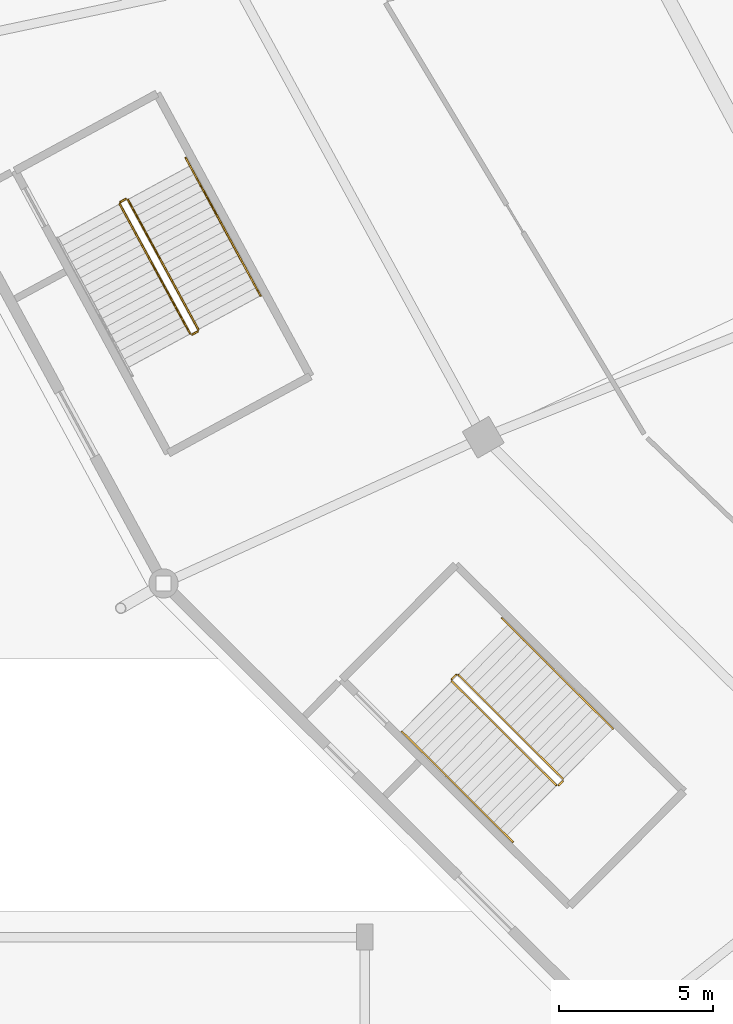
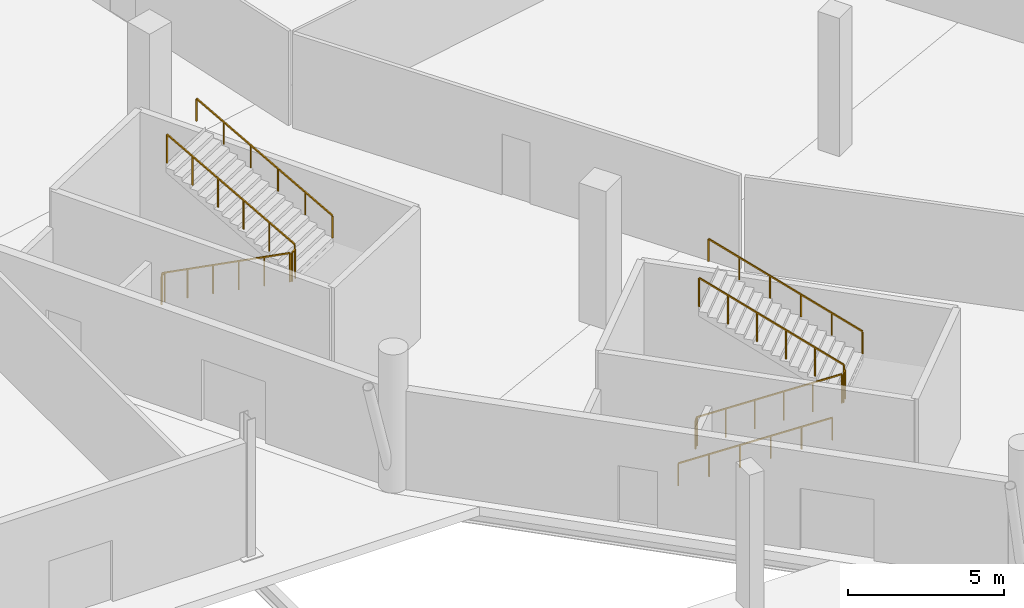
# One storey, part 60 of 82: 11 railings.
"""IFC4 building model written with IfcOpenShell, lengths in metres."""

from ifc_helpers import new_model, si_unit, direction, frame, origin, origin_2d, place, context, subcontext, project, spatial, rectangle, extrude, material, type_object, element, save


model = new_model("IFC4")

# Units and contexts
model_context = context("Model", 3, precision=1e-05, world=origin(), true_north=direction((0.0, 1.0)))
body_context = subcontext(model_context, "Body", "Model", "MODEL_VIEW")
ifc_project = project(units=[si_unit("LENGTHUNIT", "METRE"), si_unit("AREAUNIT", "SQUARE_METRE"), si_unit("VOLUMEUNIT", "CUBIC_METRE"), si_unit("PLANEANGLEUNIT", "RADIAN"), si_unit("MASSUNIT", "GRAM", prefix="KILO")], contexts=[model_context])

# Site, building, storey
site_placement = place(None, origin())
site = spatial("IfcSite", under=ifc_project, at=site_placement, CompositionType="ELEMENT")
building_placement = place(site_placement, origin())
building = spatial("IfcBuilding", under=site, at=building_placement, Name="Zlatoyarsky Gate Stadium", CompositionType="ELEMENT")
storey_placement = place(building_placement, origin())
storey = spatial("IfcBuildingStorey", under=building, at=storey_placement, Name="L00", CompositionType="ELEMENT", Elevation=0.0)

# Railings
ifc_material_1 = material(Name="Powder-coated steel stair guardrail", Category="steel")
railing_type_1 = type_object("IfcRailingType", Name="PAINTED STEEL STAIR WELL GUARDRAIL 1150", PredefinedType="GUARDRAIL", material=ifc_material_1)
railing_1_placement = place(storey_placement, frame((39.829345703125, 41.318603515625, 0.158935546875)))
element("IfcRailing", 1, at=railing_1_placement, inside=storey, type_object=railing_type_1, Name="ST-08 L00 stair guard 1", PredefinedType="GUARDRAIL", context=body_context, shape_type="SweptSolid", body=[
    extrude(rectangle(XDim=0.048095703125, YDim=0.048095703125, at=origin_2d()), frame((0.0, 0.0, 1.1259765625), z_axis=(0.626510091978, -0.62336338132, 0.467870921813), x_axis=(0.705324317314, 0.708884763136, 0.0)), (0.0, 0.0, 1.0), 5.430908203125),
    extrude(rectangle(XDim=0.0419921875, YDim=0.0419921875, at=origin_2d()), origin(), (0.0, 0.0, 1.0), 1.101806640625),
    extrude(rectangle(XDim=0.0419921875, YDim=0.0419921875, at=origin_2d()), frame((0.680419921875, -0.677001953125, 0.50830078125)), (0.0, 0.0, 1.0), 1.101806640625),
    extrude(rectangle(XDim=0.0419921875, YDim=0.0419921875, at=origin_2d()), frame((1.361083984375, -1.354248046875, 1.016357421875)), (0.0, 0.0, 1.0), 1.101806640625),
    extrude(rectangle(XDim=0.0419921875, YDim=0.0419921875, at=origin_2d()), frame((2.04150390625, -2.03125, 1.524658203125)), (0.0, 0.0, 1.0), 1.101806640625),
    extrude(rectangle(XDim=0.0419921875, YDim=0.0419921875, at=origin_2d()), frame((2.72216796875, -2.70849609375, 2.03271484375)), (0.0, 0.0, 1.0), 1.101806640625),
    extrude(rectangle(XDim=0.0419921875, YDim=0.0419921875, at=origin_2d()), frame((3.402587890625, -3.385498046875, 2.541015625)), (0.0, 0.0, 1.0), 1.101806640625),
])
railing_2_placement = place(storey_placement, frame((43.302734375, 37.933349609375, 2.699951171875)))
element("IfcRailing", 2, at=railing_2_placement, inside=storey, type_object=railing_type_1, Name="ST-08 L00 stair guard 2", PredefinedType="GUARDRAIL", context=body_context, shape_type="SweptSolid", body=[
    extrude(rectangle(XDim=0.048095703125, YDim=0.048095703125, at=origin_2d()), frame((0.0, 0.0, 1.1259765625), z_axis=(0.705274116237, 0.708934708536, 0.0), x_axis=(-0.708934708536, 0.705274116237, 0.0)), (0.0, 0.0, 1.0), 0.2001953125),
    extrude(rectangle(XDim=0.0419921875, YDim=0.0419921875, at=origin_2d()), origin(), (0.0, 0.0, 1.0), 1.101806640625),
    extrude(rectangle(XDim=0.0419921875, YDim=0.0419921875, at=origin_2d()), frame((0.14111328125, 0.141845703125, 0.0)), (0.0, 0.0, 1.0), 1.101806640625),
])
railing_3_placement = place(storey_placement, frame((43.443603515625, 38.145751953125, 2.85888671875)))
element("IfcRailing", 3, at=railing_3_placement, inside=storey, type_object=railing_type_1, Name="ST-08 L00 stair guard 3", PredefinedType="GUARDRAIL", context=body_context, shape_type="SweptSolid", body=[
    extrude(rectangle(XDim=0.048095703125, YDim=0.048095703125, at=origin_2d()), frame((0.0, 0.0, 1.1259765625), z_axis=(-0.626537399108, 0.623345825329, 0.467857745008), x_axis=(-0.705298886343, -0.708910065469, 0.0)), (0.0, 0.0, 1.0), 5.43115234375),
    extrude(rectangle(XDim=0.0419921875, YDim=0.0419921875, at=origin_2d()), origin(), (0.0, 0.0, 1.0), 1.101806640625),
    extrude(rectangle(XDim=0.0419921875, YDim=0.0419921875, at=origin_2d()), frame((-0.6806640625, 0.677001953125, 0.50830078125)), (0.0, 0.0, 1.0), 1.101806640625),
    extrude(rectangle(XDim=0.0419921875, YDim=0.0419921875, at=origin_2d()), frame((-1.361083984375, 1.354248046875, 1.016357421875)), (0.0, 0.0, 1.0), 1.101806640625),
    extrude(rectangle(XDim=0.0419921875, YDim=0.0419921875, at=origin_2d()), frame((-2.041748046875, 2.03125, 1.524658203125)), (0.0, 0.0, 1.0), 1.101806640625),
    extrude(rectangle(XDim=0.0419921875, YDim=0.0419921875, at=origin_2d()), frame((-2.72216796875, 2.70849609375, 2.03271484375)), (0.0, 0.0, 1.0), 1.101806640625),
    extrude(rectangle(XDim=0.0419921875, YDim=0.0419921875, at=origin_2d()), frame((-3.40283203125, 3.385498046875, 2.541015625)), (0.0, 0.0, 1.0), 1.101806640625),
])
railing_4_placement = place(storey_placement, frame((39.8291015625, 41.389404296875, 0.0)))
element("IfcRailing", 4, at=railing_4_placement, inside=storey, type_object=railing_type_1, Name="ST-08 L00 stair guard 4", PredefinedType="GUARDRAIL", context=body_context, shape_type="SweptSolid", body=[
    extrude(rectangle(XDim=0.048095703125, YDim=0.048095703125, at=origin_2d()), frame((0.0, 0.0, 1.1259765625), z_axis=(0.705884473151, 0.708326979978, 0.0), x_axis=(-0.708326979978, 0.705884473151, 0.0)), (0.0, 0.0, 1.0), 0.199951171875),
    extrude(rectangle(XDim=0.0419921875, YDim=0.0419921875, at=origin_2d()), origin(), (0.0, 0.0, 1.0), 1.101806640625),
    extrude(rectangle(XDim=0.0419921875, YDim=0.0419921875, at=origin_2d()), frame((0.14111328125, 0.1416015625, 0.0)), (0.0, 0.0, 1.0), 1.101806640625),
])
railing_5_placement = place(storey_placement, frame((29.03515625, 56.83349609375, 0.158935546875)))
element("IfcRailing", 5, at=railing_5_placement, inside=storey, type_object=railing_type_1, Name="ST-15 L00 stair guard 1", PredefinedType="GUARDRAIL", context=body_context, shape_type="SweptSolid", body=[
    extrude(rectangle(XDim=0.048095703125, YDim=0.048095703125, at=origin_2d()), frame((0.0, 0.0, 1.1259765625), z_axis=(0.421475720149, -0.776826143334, 0.467866819039), x_axis=(0.878962478599, 0.4768909322, 0.0)), (0.0, 0.0, 1.0), 5.43115234375),
    extrude(rectangle(XDim=0.0419921875, YDim=0.0419921875, at=origin_2d()), origin(), (0.0, 0.0, 1.0), 1.101806640625),
    extrude(rectangle(XDim=0.0419921875, YDim=0.0419921875, at=origin_2d()), frame((0.457763671875, -0.84375, 0.50830078125)), (0.0, 0.0, 1.0), 1.101806640625),
    extrude(rectangle(XDim=0.0419921875, YDim=0.0419921875, at=origin_2d()), frame((0.91552734375, -1.6875, 1.016357421875)), (0.0, 0.0, 1.0), 1.101806640625),
    extrude(rectangle(XDim=0.0419921875, YDim=0.0419921875, at=origin_2d()), frame((1.37353515625, -2.531494140625, 1.524658203125)), (0.0, 0.0, 1.0), 1.101806640625),
    extrude(rectangle(XDim=0.0419921875, YDim=0.0419921875, at=origin_2d()), frame((1.831298828125, -3.375244140625, 2.03271484375)), (0.0, 0.0, 1.0), 1.101806640625),
    extrude(rectangle(XDim=0.0419921875, YDim=0.0419921875, at=origin_2d()), frame((2.2890625, -4.218994140625, 2.541015625)), (0.0, 0.0, 1.0), 1.101806640625),
])
railing_6_placement = place(storey_placement, frame((31.39208984375, 52.59423828125, 2.699951171875)))
element("IfcRailing", 6, at=railing_6_placement, inside=storey, type_object=railing_type_1, Name="ST-15 L00 stair guard 2", PredefinedType="GUARDRAIL", context=body_context, shape_type="SweptSolid", body=[
    extrude(rectangle(XDim=0.048095703125, YDim=0.048095703125, at=origin_2d()), frame((0.0, 0.0, 1.1259765625), z_axis=(0.878780312785, 0.477226530971, 0.0), x_axis=(-0.477226530971, 0.878780312785, 0.0)), (0.0, 0.0, 1.0), 0.199951171875),
    extrude(rectangle(XDim=0.0419921875, YDim=0.0419921875, at=origin_2d()), origin(), (0.0, 0.0, 1.0), 1.101806640625),
    extrude(rectangle(XDim=0.0419921875, YDim=0.0419921875, at=origin_2d()), frame((0.17578125, 0.095458984375, 0.0)), (0.0, 0.0, 1.0), 1.101806640625),
])
railing_7_placement = place(storey_placement, frame((31.587890625, 52.757568359375, 2.85888671875)))
element("IfcRailing", 7, at=railing_7_placement, inside=storey, type_object=railing_type_1, Name="ST-15 L00 stair guard 3", PredefinedType="GUARDRAIL", context=body_context, shape_type="SweptSolid", body=[
    extrude(rectangle(XDim=0.048095703125, YDim=0.048095703125, at=origin_2d()), frame((0.0, 0.0, 1.1259765625), z_axis=(-0.421475720149, 0.776826143334, 0.467866819039), x_axis=(-0.878962478599, -0.4768909322, 0.0)), (0.0, 0.0, 1.0), 5.43115234375),
    extrude(rectangle(XDim=0.0419921875, YDim=0.0419921875, at=origin_2d()), origin(), (0.0, 0.0, 1.0), 1.101806640625),
    extrude(rectangle(XDim=0.0419921875, YDim=0.0419921875, at=origin_2d()), frame((-0.457763671875, 0.84375, 0.50830078125)), (0.0, 0.0, 1.0), 1.101806640625),
    extrude(rectangle(XDim=0.0419921875, YDim=0.0419921875, at=origin_2d()), frame((-0.91552734375, 1.6875, 1.016357421875)), (0.0, 0.0, 1.0), 1.101806640625),
    extrude(rectangle(XDim=0.0419921875, YDim=0.0419921875, at=origin_2d()), frame((-1.37353515625, 2.531494140625, 1.524658203125)), (0.0, 0.0, 1.0), 1.101806640625),
    extrude(rectangle(XDim=0.0419921875, YDim=0.0419921875, at=origin_2d()), frame((-1.831298828125, 3.375244140625, 2.03271484375)), (0.0, 0.0, 1.0), 1.101806640625),
    extrude(rectangle(XDim=0.0419921875, YDim=0.0419921875, at=origin_2d()), frame((-2.2890625, 4.218994140625, 2.541015625)), (0.0, 0.0, 1.0), 1.101806640625),
])
railing_8_placement = place(storey_placement, frame((29.05517578125, 56.901123046875, 0.0)))
element("IfcRailing", 8, at=railing_8_placement, inside=storey, type_object=railing_type_1, Name="ST-15 L00 stair guard 4", PredefinedType="GUARDRAIL", context=body_context, shape_type="SweptSolid", body=[
    extrude(rectangle(XDim=0.048095703125, YDim=0.048095703125, at=origin_2d()), frame((0.0, 0.0, 1.1259765625), z_axis=(0.878780312785, 0.477226530971, 0.0), x_axis=(-0.477226530971, 0.878780312785, 0.0)), (0.0, 0.0, 1.0), 0.199951171875),
    extrude(rectangle(XDim=0.0419921875, YDim=0.0419921875, at=origin_2d()), origin(), (0.0, 0.0, 1.0), 1.101806640625),
    extrude(rectangle(XDim=0.0419921875, YDim=0.0419921875, at=origin_2d()), frame((0.17578125, 0.095458984375, 0.0)), (0.0, 0.0, 1.0), 1.101806640625),
])
ifc_material_2 = material(Name="Brushed stainless steel 316 handrail", Category="steel")
railing_type_2 = type_object("IfcRailingType", Name="STAINLESS STEEL TUBULAR HANDRAIL 900", PredefinedType="HANDRAIL", material=ifc_material_2)
railing_9_placement = place(storey_placement, frame((38.20703125, 39.688232421875, 0.162841796875)))
element("IfcRailing", 9, at=railing_9_placement, inside=storey, type_object=railing_type_2, Name="ST-08 L00 stair handrail 1", PredefinedType="HANDRAIL", context=body_context, shape_type="SweptSolid", body=[
    extrude(rectangle(XDim=0.048095703125, YDim=0.048095703125, at=origin_2d()), frame((0.0, 0.0, 0.8759765625), z_axis=(0.626522822418, -0.62334980522, 0.467871962531), x_axis=(0.705309395881, 0.708899609312, 0.0)), (0.0, 0.0, 1.0), 5.770751953125),
    extrude(rectangle(XDim=0.0419921875, YDim=0.0419921875, at=origin_2d()), origin(), (0.0, 0.0, 1.0), 0.851806640625),
    extrude(rectangle(XDim=0.0419921875, YDim=0.0419921875, at=origin_2d()), frame((0.72314453125, -0.719482421875, 0.5400390625)), (0.0, 0.0, 1.0), 0.851806640625),
    extrude(rectangle(XDim=0.0419921875, YDim=0.0419921875, at=origin_2d()), frame((1.4462890625, -1.43896484375, 1.080078125)), (0.0, 0.0, 1.0), 0.851806640625),
    extrude(rectangle(XDim=0.0419921875, YDim=0.0419921875, at=origin_2d()), frame((2.169189453125, -2.158203125, 1.619873046875)), (0.0, 0.0, 1.0), 0.851806640625),
    extrude(rectangle(XDim=0.0419921875, YDim=0.0419921875, at=origin_2d()), frame((2.892333984375, -2.877685546875, 2.159912109375)), (0.0, 0.0, 1.0), 0.851806640625),
    extrude(rectangle(XDim=0.0419921875, YDim=0.0419921875, at=origin_2d()), frame((3.615478515625, -3.59716796875, 2.699951171875)), (0.0, 0.0, 1.0), 0.851806640625),
])
railing_10_placement = place(storey_placement, frame((45.06591796875, 39.7763671875, 2.86279296875)))
element("IfcRailing", 10, at=railing_10_placement, inside=storey, type_object=railing_type_2, Name="ST-08 L00 stair handrail 2", PredefinedType="HANDRAIL", context=body_context, shape_type="SweptSolid", body=[
    extrude(rectangle(XDim=0.048095703125, YDim=0.048095703125, at=origin_2d()), frame((0.0, 0.0, 0.8759765625), z_axis=(-0.626539345167, 0.623323936279, 0.467884301317), x_axis=(-0.705285338382, -0.708923544159, 0.0)), (0.0, 0.0, 1.0), 5.7705078125),
    extrude(rectangle(XDim=0.0419921875, YDim=0.0419921875, at=origin_2d()), origin(), (0.0, 0.0, 1.0), 0.851806640625),
    extrude(rectangle(XDim=0.0419921875, YDim=0.0419921875, at=origin_2d()), frame((-0.72314453125, 0.719482421875, 0.5400390625)), (0.0, 0.0, 1.0), 0.851806640625),
    extrude(rectangle(XDim=0.0419921875, YDim=0.0419921875, at=origin_2d()), frame((-1.4462890625, 1.438720703125, 1.080078125)), (0.0, 0.0, 1.0), 0.851806640625),
    extrude(rectangle(XDim=0.0419921875, YDim=0.0419921875, at=origin_2d()), frame((-2.169189453125, 2.158203125, 1.619873046875)), (0.0, 0.0, 1.0), 0.851806640625),
    extrude(rectangle(XDim=0.0419921875, YDim=0.0419921875, at=origin_2d()), frame((-2.892333984375, 2.87744140625, 2.159912109375)), (0.0, 0.0, 1.0), 0.851806640625),
    extrude(rectangle(XDim=0.0419921875, YDim=0.0419921875, at=origin_2d()), frame((-3.615478515625, 3.596923828125, 2.699951171875)), (0.0, 0.0, 1.0), 0.851806640625),
])
railing_11_placement = place(storey_placement, frame((33.609619140625, 53.854248046875, 2.86279296875)))
element("IfcRailing", 11, at=railing_11_placement, inside=storey, type_object=railing_type_2, Name="ST-15 L00 stair handrail 2", PredefinedType="HANDRAIL", context=body_context, shape_type="SweptSolid", body=[
    extrude(rectangle(XDim=0.048095703125, YDim=0.048095703125, at=origin_2d()), frame((0.0, 0.0, 0.8759765625), z_axis=(-0.421458562737, 0.776834182793, 0.467868926452), x_axis=(-0.878972684615, -0.476872120909, 0.0)), (0.0, 0.0, 1.0), 5.770751953125),
    extrude(rectangle(XDim=0.0419921875, YDim=0.0419921875, at=origin_2d()), origin(), (0.0, 0.0, 1.0), 0.851806640625),
    extrude(rectangle(XDim=0.0419921875, YDim=0.0419921875, at=origin_2d()), frame((-0.486328125, 0.896484375, 0.5400390625)), (0.0, 0.0, 1.0), 0.851806640625),
    extrude(rectangle(XDim=0.0419921875, YDim=0.0419921875, at=origin_2d()), frame((-0.972900390625, 1.793212890625, 1.080078125)), (0.0, 0.0, 1.0), 0.851806640625),
    extrude(rectangle(XDim=0.0419921875, YDim=0.0419921875, at=origin_2d()), frame((-1.459228515625, 2.689697265625, 1.619873046875)), (0.0, 0.0, 1.0), 0.851806640625),
    extrude(rectangle(XDim=0.0419921875, YDim=0.0419921875, at=origin_2d()), frame((-1.94580078125, 3.58642578125, 2.159912109375)), (0.0, 0.0, 1.0), 0.851806640625),
    extrude(rectangle(XDim=0.0419921875, YDim=0.0419921875, at=origin_2d()), frame((-2.43212890625, 4.48291015625, 2.699951171875)), (0.0, 0.0, 1.0), 0.851806640625),
])

save(model, "model.ifc")
